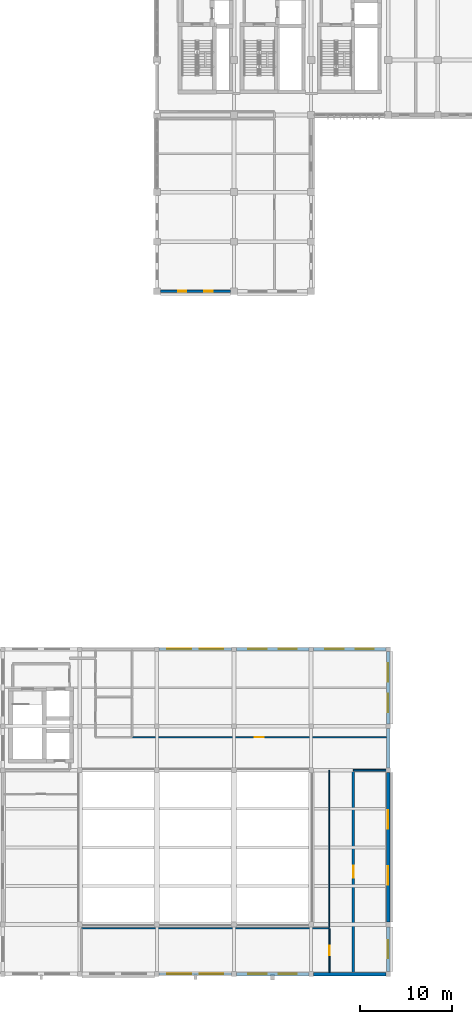
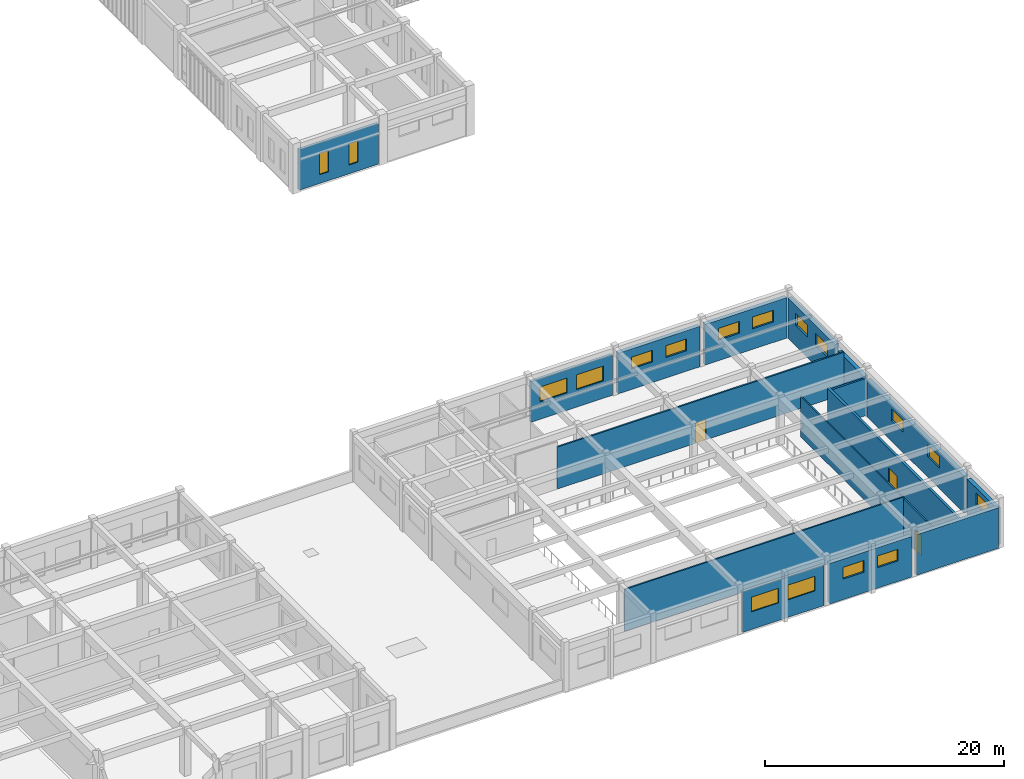
# One storey, part 65 of 77: 17 walls, 17 windows, 3 doors, 20 openings.
"""IFC4 building model written with IfcOpenShell, lengths in metres."""

from ifc_helpers import new_model, si_unit, direction, frame, frame_2d, origin, place, context, subcontext, project, spatial, rectangle, extrude, material, layer, layer_set, type_object, element, fill, save


model = new_model("IFC4")

# Units and contexts
model_context = context("Model", 3, precision=1e-05, world=origin(), true_north=direction((0.0, 1.0)))
body_context = subcontext(model_context, "Body", "Model", "MODEL_VIEW")
ifc_project = project(units=[si_unit("LENGTHUNIT", "METRE"), si_unit("AREAUNIT", "SQUARE_METRE"), si_unit("VOLUMEUNIT", "CUBIC_METRE"), si_unit("PLANEANGLEUNIT", "RADIAN"), si_unit("MASSUNIT", "GRAM", prefix="KILO")], contexts=[model_context])

# Site, building, storey
site_placement = place(None, origin())
site = spatial("IfcSite", under=ifc_project, at=site_placement, CompositionType="ELEMENT")
building_placement = place(site_placement, origin())
building = spatial("IfcBuilding", under=site, at=building_placement, Name="Krzemoval Escarpment Law Courts", CompositionType="ELEMENT")
storey_placement = place(building_placement, frame((0.0, 0.0, 15.300048828125)))
storey = spatial("IfcBuildingStorey", under=building, at=storey_placement, Name="L03", CompositionType="ELEMENT", Elevation=15.300048828125)

# Wall, openings, windows
ifc_material_1 = material(Name="Precast concrete C40/50", Category="concrete")
ifc_layer_1 = layer(ifc_material_1, 0.260009765625)
ifc_layer_set_1 = layer_set([ifc_layer_1], Name="Precast concrete C40/50")
wall_type_1 = type_object("IfcWallType", Name="WL-EXT-260", PredefinedType="SOLIDWALL", material=ifc_layer_set_1)
wall_1_placement = place(storey_placement, frame((134.14990234375, 0.0, 0.0), z_axis=(0.0, 0.0, 1.0), x_axis=(-1.0, 0.0, 0.0)))
wall_1 = element("IfcWall", 1, at=wall_1_placement, inside=storey, type_object=wall_type_1, Name="Exterior Wall EW-L03-0366", PredefinedType="SOLIDWALL", context=body_context, shape_type="SweptSolid", body=[
    extrude(rectangle(XDim=7.89990234375, YDim=0.260009765625, at=frame_2d((3.949951171875, 0.0))), origin(), (0.0, 0.0, 1.0), 4.139892578125),
])
opening_1_placement = place(wall_1_placement, frame((0.89990234375, 0.0, 1.800048828125)))
opening_1 = element("IfcOpeningElement", 2, at=opening_1_placement, cuts=wall_1, Name="Opening WN-L03-0416", PredefinedType="OPENING", context=body_context, shape_type="SweptSolid", body=[
    extrude(rectangle(XDim=2.60009765625, YDim=1.5, at=frame_2d((1.300048828125, 0.75))), frame((0.0, 0.145, 0.0), z_axis=(0.0, -1.0, 0.0), x_axis=(1.0, 0.0, 0.0)), (0.0, 0.0, 1.0), 0.29001),
])
opening_2_placement = place(wall_1_placement, frame((4.39990234375, 0.0, 1.800048828125)))
opening_2 = element("IfcOpeningElement", 3, at=opening_2_placement, cuts=wall_1, Name="Opening WN-L03-0417", PredefinedType="OPENING", context=body_context, shape_type="SweptSolid", body=[
    extrude(rectangle(XDim=2.60009765625, YDim=1.5, at=frame_2d((1.300048828125, 0.75))), frame((0.0, 0.145, 0.0), z_axis=(0.0, -1.0, 0.0), x_axis=(1.0, 0.0, 0.0)), (0.0, 0.0, 1.0), 0.29001),
])
ifc_material_2 = material(Name="Thermally Broken Aluminium Frame with Triple Low-E Acoustic Glass", Category="aluminium")
window_type_1 = type_object("IfcWindowType", Name="WN-2600x1500", PartitioningType="SINGLE_PANEL", PredefinedType="WINDOW", material=ifc_material_2)
window_1_placement = place(opening_1_placement, origin())
window_1 = element("IfcWindow", 4, at=window_1_placement, inside=storey, type_object=window_type_1, Name="Facade Window WN-L03-0416", OverallHeight=1.5, OverallWidth=2.60009765625, PartitioningType="SINGLE_PANEL", PredefinedType="WINDOW", context=body_context, shape_type="SweptSolid", body=[
    extrude(rectangle(XDim=2.60009765625, YDim=1.5, at=frame_2d((1.300048828125, 0.75))), frame((0.0, 0.030029296875, 0.0), z_axis=(0.0, -1.0, 0.0), x_axis=(1.0, 0.0, 0.0)), (0.0, 0.0, 1.0), 0.06005859375),
])
fill(opening_1, window_1)
window_2_placement = place(opening_2_placement, origin())
window_2 = element("IfcWindow", 5, at=window_2_placement, inside=storey, type_object=window_type_1, Name="Facade Window WN-L03-0417", OverallHeight=1.5, OverallWidth=2.60009765625, PartitioningType="SINGLE_PANEL", PredefinedType="WINDOW", context=body_context, shape_type="SweptSolid", body=[
    extrude(rectangle(XDim=2.60009765625, YDim=1.5, at=frame_2d((1.300048828125, 0.75))), frame((0.0, 0.030029296875, 0.0), z_axis=(0.0, -1.0, 0.0), x_axis=(1.0, 0.0, 0.0)), (0.0, 0.0, 1.0), 0.06005859375),
])
fill(opening_2, window_2)

wall_2_placement = place(storey_placement, frame((126.25, 35.39990234375, 0.0), z_axis=(0.0, 0.0, 1.0), x_axis=(1.0, 0.0, 0.0)))
wall_2 = element("IfcWall", 6, at=wall_2_placement, inside=storey, type_object=wall_type_1, Name="Exterior Wall EW-L03-0375", PredefinedType="SOLIDWALL", context=body_context, shape_type="SweptSolid", body=[
    extrude(rectangle(XDim=7.89990234375, YDim=0.260009765625, at=frame_2d((3.949951171875, 0.0))), origin(), (0.0, 0.0, 1.0), 4.139892578125),
])
opening_3_placement = place(wall_2_placement, frame((0.89990234375, 0.0, 1.800048828125)))
opening_3 = element("IfcOpeningElement", 7, at=opening_3_placement, cuts=wall_2, Name="Opening WN-L03-0430", PredefinedType="OPENING", context=body_context, shape_type="SweptSolid", body=[
    extrude(rectangle(XDim=2.60009765625, YDim=1.5, at=frame_2d((1.300048828125, 0.75))), frame((0.0, 0.145, 0.0), z_axis=(0.0, -1.0, 0.0), x_axis=(1.0, 0.0, 0.0)), (0.0, 0.0, 1.0), 0.29001),
])
opening_4_placement = place(wall_2_placement, frame((4.39990234375, 0.0, 1.800048828125)))
opening_4 = element("IfcOpeningElement", 8, at=opening_4_placement, cuts=wall_2, Name="Opening WN-L03-0431", PredefinedType="OPENING", context=body_context, shape_type="SweptSolid", body=[
    extrude(rectangle(XDim=2.60009765625, YDim=1.5, at=frame_2d((1.300048828125, 0.75))), frame((0.0, 0.145, 0.0), z_axis=(0.0, -1.0, 0.0), x_axis=(1.0, 0.0, 0.0)), (0.0, 0.0, 1.0), 0.29001),
])
window_3_placement = place(opening_3_placement, origin())
window_3 = element("IfcWindow", 9, at=window_3_placement, inside=storey, type_object=window_type_1, Name="Facade Window WN-L03-0430", OverallHeight=1.5, OverallWidth=2.60009765625, PartitioningType="SINGLE_PANEL", PredefinedType="WINDOW", context=body_context, shape_type="SweptSolid", body=[
    extrude(rectangle(XDim=2.60009765625, YDim=1.5, at=frame_2d((1.300048828125, 0.75))), frame((0.0, 0.030029296875, 0.0), z_axis=(0.0, -1.0, 0.0), x_axis=(1.0, 0.0, 0.0)), (0.0, 0.0, 1.0), 0.06005859375),
])
fill(opening_3, window_3)
window_4_placement = place(opening_4_placement, origin())
window_4 = element("IfcWindow", 10, at=window_4_placement, inside=storey, type_object=window_type_1, Name="Facade Window WN-L03-0431", OverallHeight=1.5, OverallWidth=2.60009765625, PartitioningType="SINGLE_PANEL", PredefinedType="WINDOW", context=body_context, shape_type="SweptSolid", body=[
    extrude(rectangle(XDim=2.60009765625, YDim=1.5, at=frame_2d((1.300048828125, 0.75))), frame((0.0, 0.030029296875, 0.0), z_axis=(0.0, -1.0, 0.0), x_axis=(1.0, 0.0, 0.0)), (0.0, 0.0, 1.0), 0.06005859375),
])
fill(opening_4, window_4)

wall_3_placement = place(storey_placement, frame((134.02490234375, 74.39990234375, 0.0), z_axis=(0.0, 0.0, 1.0), x_axis=(-1.0, 0.0, 0.0)))
wall_3 = element("IfcWall", 11, at=wall_3_placement, inside=storey, type_object=wall_type_1, Name="Exterior Wall EW-L03-0392", PredefinedType="SOLIDWALL", context=body_context, shape_type="SweptSolid", body=[
    extrude(rectangle(XDim=7.64990234375, YDim=0.260009765625, at=frame_2d((3.824951171875, 0.0))), origin(), (0.0, 0.0, 1.0), 4.139892578125),
])
opening_5_placement = place(wall_3_placement, frame((1.949951171875, 0.0, 0.89990234375)))
opening_5 = element("IfcOpeningElement", 12, at=opening_5_placement, cuts=wall_3, Name="Opening WN-L03-0461", PredefinedType="OPENING", context=body_context, shape_type="SweptSolid", body=[
    extrude(rectangle(XDim=0.89990234375, YDim=2.199951171875, at=frame_2d((0.449951171875, 1.10009765625))), frame((0.0, 0.145, 0.0), z_axis=(0.0, -1.0, 0.0), x_axis=(1.0, 0.0, 0.0)), (0.0, 0.0, 1.0), 0.29001),
])
opening_6_placement = place(wall_3_placement, frame((4.800048828125, 0.0, 0.89990234375)))
opening_6 = element("IfcOpeningElement", 13, at=opening_6_placement, cuts=wall_3, Name="Opening WN-L03-0462", PredefinedType="OPENING", context=body_context, shape_type="SweptSolid", body=[
    extrude(rectangle(XDim=0.89990234375, YDim=2.199951171875, at=frame_2d((0.449951171875, 1.10009765625))), frame((0.0, 0.145, 0.0), z_axis=(0.0, -1.0, 0.0), x_axis=(1.0, 0.0, 0.0)), (0.0, 0.0, 1.0), 0.29001),
])
ifc_material_3 = material(Name="Thermally Broken Aluminium Frame with Triple Low-E Acoustic Glass", Category="aluminium")
window_type_2 = type_object("IfcWindowType", Name="WN-900x2200", PartitioningType="SINGLE_PANEL", PredefinedType="WINDOW", material=ifc_material_3)
window_5_placement = place(opening_5_placement, origin())
window_5 = element("IfcWindow", 14, at=window_5_placement, inside=storey, type_object=window_type_2, Name="Facade Window WN-L03-0461", OverallHeight=2.199951171875, OverallWidth=0.89990234375, PartitioningType="SINGLE_PANEL", PredefinedType="WINDOW", context=body_context, shape_type="SweptSolid", body=[
    extrude(rectangle(XDim=0.89990234375, YDim=2.199951171875, at=frame_2d((0.449951171875, 1.10009765625))), frame((0.0, 0.030029296875, 0.0), z_axis=(0.0, -1.0, 0.0), x_axis=(1.0, 0.0, 0.0)), (0.0, 0.0, 1.0), 0.06005859375),
])
fill(opening_5, window_5)
window_6_placement = place(opening_6_placement, origin())
window_6 = element("IfcWindow", 15, at=window_6_placement, inside=storey, type_object=window_type_2, Name="Facade Window WN-L03-0462", OverallHeight=2.199951171875, OverallWidth=0.89990234375, PartitioningType="SINGLE_PANEL", PredefinedType="WINDOW", context=body_context, shape_type="SweptSolid", body=[
    extrude(rectangle(XDim=0.89990234375, YDim=2.199951171875, at=frame_2d((0.449951171875, 1.10009765625))), frame((0.0, 0.030029296875, 0.0), z_axis=(0.0, -1.0, 0.0), x_axis=(1.0, 0.0, 0.0)), (0.0, 0.0, 1.0), 0.06005859375),
])
fill(opening_6, window_6)

ifc_material_4 = material(Name="Concrete C40/50", Category="concrete")
ifc_layer_2 = layer(ifc_material_4, 0.3798828125)
ifc_layer_set_2 = layer_set([ifc_layer_2], Name="Concrete C40/50")
wall_type_2 = type_object("IfcWallType", Name="WL-EXT-380", PredefinedType="SOLIDWALL", material=ifc_layer_set_2)
wall_4_placement = place(storey_placement, frame((151.199951171875, 35.14990234375, 0.0), z_axis=(0.0, 0.0, 1.0), x_axis=(0.0, -1.0, 0.0)))
wall_4 = element("IfcWall", 16, at=wall_4_placement, inside=storey, type_object=wall_type_2, Name="Exterior Wall EW-L03-0360", PredefinedType="SOLIDWALL", context=body_context, shape_type="SweptSolid", body=[
    extrude(rectangle(XDim=7.89990234375, YDim=0.3798828125, at=frame_2d((3.949951171875, 0.0))), origin(), (0.0, 0.0, 1.0), 4.139892578125),
])
opening_7_placement = place(wall_4_placement, frame((1.300048828125, 0.0, 2.10009765625)))
opening_7 = element("IfcOpeningElement", 17, at=opening_7_placement, cuts=wall_4, Name="Opening WN-L03-0409", PredefinedType="OPENING", context=body_context, shape_type="SweptSolid", body=[
    extrude(rectangle(XDim=2.0, YDim=1.199951171875, at=frame_2d((1.0, 0.60009765625))), frame((0.0, 0.20494, 0.0), z_axis=(0.0, -1.0, 0.0), x_axis=(1.0, 0.0, 0.0)), (0.0, 0.0, 1.0), 0.40988),
])
opening_8_placement = place(wall_4_placement, frame((4.60009765625, 0.0, 2.10009765625)))
opening_8 = element("IfcOpeningElement", 18, at=opening_8_placement, cuts=wall_4, Name="Opening WN-L03-0410", PredefinedType="OPENING", context=body_context, shape_type="SweptSolid", body=[
    extrude(rectangle(XDim=2.0, YDim=1.199951171875, at=frame_2d((1.0, 0.60009765625))), frame((0.0, 0.20494, 0.0), z_axis=(0.0, -1.0, 0.0), x_axis=(1.0, 0.0, 0.0)), (0.0, 0.0, 1.0), 0.40988),
])
ifc_material_5 = material(Name="Thermally Broken Aluminium Frame with Triple Low-E Acoustic Glass", Category="aluminium")
window_type_3 = type_object("IfcWindowType", Name="WN-2000x1200", PartitioningType="SINGLE_PANEL", PredefinedType="WINDOW", material=ifc_material_5)
window_7_placement = place(opening_7_placement, origin())
window_7 = element("IfcWindow", 19, at=window_7_placement, inside=storey, type_object=window_type_3, Name="Facade Window WN-L03-0409", OverallHeight=1.199951171875, OverallWidth=2.0, PartitioningType="SINGLE_PANEL", PredefinedType="WINDOW", context=body_context, shape_type="SweptSolid", body=[
    extrude(rectangle(XDim=2.0, YDim=1.199951171875, at=frame_2d((1.0, 0.60009765625))), frame((0.0, 0.030029296875, 0.0), z_axis=(0.0, -1.0, 0.0), x_axis=(1.0, 0.0, 0.0)), (0.0, 0.0, 1.0), 0.06005859375),
])
fill(opening_7, window_7)
window_8_placement = place(opening_8_placement, origin())
window_8 = element("IfcWindow", 20, at=window_8_placement, inside=storey, type_object=window_type_3, Name="Facade Window WN-L03-0410", OverallHeight=1.199951171875, OverallWidth=2.0, PartitioningType="SINGLE_PANEL", PredefinedType="WINDOW", context=body_context, shape_type="SweptSolid", body=[
    extrude(rectangle(XDim=2.0, YDim=1.199951171875, at=frame_2d((1.0, 0.60009765625))), frame((0.0, 0.030029296875, 0.0), z_axis=(0.0, -1.0, 0.0), x_axis=(1.0, 0.0, 0.0)), (0.0, 0.0, 1.0), 0.06005859375),
])
fill(opening_8, window_8)

# Wall
wall_5_placement = place(storey_placement, frame((151.199951171875, 26.75, 0.0), z_axis=(0.0, 0.0, 1.0), x_axis=(0.0, -1.0, 0.0)))
element("IfcWall", 21, at=wall_5_placement, inside=storey, type_object=wall_type_2, Name="Exterior Wall EW-L03-0361", PredefinedType="SOLIDWALL", context=body_context, shape_type="SweptSolid", body=[
    extrude(rectangle(XDim=4.300048828125, YDim=0.3798828125, at=frame_2d((2.14990234375, 0.0))), origin(), (0.0, 0.0, 1.0), 3.7900390625),
])

# Wall, openings, windows
wall_6_placement = place(storey_placement, frame((151.199951171875, 21.949951171875, 0.0), z_axis=(0.0, 0.0, 1.0), x_axis=(0.0, -1.0, 0.0)))
wall_6 = element("IfcWall", 22, at=wall_6_placement, inside=storey, type_object=wall_type_2, Name="Exterior Wall EW-L03-0362", PredefinedType="SOLIDWALL", context=body_context, shape_type="SweptSolid", body=[
    extrude(rectangle(XDim=16.300048828125, YDim=0.3798828125, at=frame_2d((8.14990234375, 0.0))), origin(), (0.0, 0.0, 1.0), 3.7900390625),
])
opening_9_placement = place(wall_6_placement, frame((4.10009765625, 0.0, 2.10009765625)))
opening_9 = element("IfcOpeningElement", 23, at=opening_9_placement, cuts=wall_6, Name="Opening WN-L03-0411", PredefinedType="OPENING", context=body_context, shape_type="SweptSolid", body=[
    extrude(rectangle(XDim=2.0, YDim=1.199951171875, at=frame_2d((1.0, 0.60009765625))), frame((0.0, 0.20494, 0.0), z_axis=(0.0, -1.0, 0.0), x_axis=(1.0, 0.0, 0.0)), (0.0, 0.0, 1.0), 0.40988),
])
opening_10_placement = place(wall_6_placement, frame((10.199951171875, 0.0, 2.10009765625)))
opening_10 = element("IfcOpeningElement", 24, at=opening_10_placement, cuts=wall_6, Name="Opening WN-L03-0412", PredefinedType="OPENING", context=body_context, shape_type="SweptSolid", body=[
    extrude(rectangle(XDim=2.0, YDim=1.199951171875, at=frame_2d((1.0, 0.60009765625))), frame((0.0, 0.20494, 0.0), z_axis=(0.0, -1.0, 0.0), x_axis=(1.0, 0.0, 0.0)), (0.0, 0.0, 1.0), 0.40988),
])
window_9_placement = place(opening_9_placement, origin())
window_9 = element("IfcWindow", 25, at=window_9_placement, inside=storey, type_object=window_type_3, Name="Facade Window WN-L03-0411", OverallHeight=1.199951171875, OverallWidth=2.0, PartitioningType="SINGLE_PANEL", PredefinedType="WINDOW", context=body_context, shape_type="SweptSolid", body=[
    extrude(rectangle(XDim=2.0, YDim=1.199951171875, at=frame_2d((1.0, 0.60009765625))), frame((0.0, 0.030029296875, 0.0), z_axis=(0.0, -1.0, 0.0), x_axis=(1.0, 0.0, 0.0)), (0.0, 0.0, 1.0), 0.06005859375),
])
fill(opening_9, window_9)
window_10_placement = place(opening_10_placement, origin())
window_10 = element("IfcWindow", 26, at=window_10_placement, inside=storey, type_object=window_type_3, Name="Facade Window WN-L03-0412", OverallHeight=1.199951171875, OverallWidth=2.0, PartitioningType="SINGLE_PANEL", PredefinedType="WINDOW", context=body_context, shape_type="SweptSolid", body=[
    extrude(rectangle(XDim=2.0, YDim=1.199951171875, at=frame_2d((1.0, 0.60009765625))), frame((0.0, 0.030029296875, 0.0), z_axis=(0.0, -1.0, 0.0), x_axis=(1.0, 0.0, 0.0)), (0.0, 0.0, 1.0), 0.06005859375),
])
fill(opening_10, window_10)

# Wall, opening, window
wall_7_placement = place(storey_placement, frame((151.199951171875, 5.14990234375, 0.0), z_axis=(0.0, 0.0, 1.0), x_axis=(0.0, -1.0, 0.0)))
wall_7 = element("IfcWall", 27, at=wall_7_placement, inside=storey, type_object=wall_type_2, Name="Exterior Wall EW-L03-0363", PredefinedType="SOLIDWALL", context=body_context, shape_type="SweptSolid", body=[
    extrude(rectangle(XDim=4.89990234375, YDim=0.3798828125, at=frame_2d((2.449951171875, 0.0))), origin(), (0.0, 0.0, 1.0), 3.7900390625),
])
opening_11_placement = place(wall_7_placement, frame((1.449951171875, 0.0, 2.10009765625)))
opening_11 = element("IfcOpeningElement", 28, at=opening_11_placement, cuts=wall_7, Name="Opening WN-L03-0413", PredefinedType="OPENING", context=body_context, shape_type="SweptSolid", body=[
    extrude(rectangle(XDim=2.0, YDim=1.199951171875, at=frame_2d((1.0, 0.60009765625))), frame((0.0, 0.20494, 0.0), z_axis=(0.0, -1.0, 0.0), x_axis=(1.0, 0.0, 0.0)), (0.0, 0.0, 1.0), 0.40988),
])
window_11_placement = place(opening_11_placement, origin())
window_11 = element("IfcWindow", 29, at=window_11_placement, inside=storey, type_object=window_type_3, Name="Facade Window WN-L03-0413", OverallHeight=1.199951171875, OverallWidth=2.0, PartitioningType="SINGLE_PANEL", PredefinedType="WINDOW", context=body_context, shape_type="SweptSolid", body=[
    extrude(rectangle(XDim=2.0, YDim=1.199951171875, at=frame_2d((1.0, 0.60009765625))), frame((0.0, 0.030029296875, 0.0), z_axis=(0.0, -1.0, 0.0), x_axis=(1.0, 0.0, 0.0)), (0.0, 0.0, 1.0), 0.06005859375),
])
fill(opening_11, window_11)

# Wall
wall_8_placement = place(storey_placement, frame((150.949951171875, 0.0, 0.0), z_axis=(0.0, 0.0, 1.0), x_axis=(-1.0, 0.0, 0.0)))
element("IfcWall", 30, at=wall_8_placement, inside=storey, type_object=wall_type_2, Name="Exterior Wall EW-L03-0364", PredefinedType="SOLIDWALL", context=body_context, shape_type="SweptSolid", body=[
    extrude(rectangle(XDim=7.89990234375, YDim=0.3798828125, at=frame_2d((3.949951171875, 0.0))), origin(), (0.0, 0.0, 1.0), 4.139892578125),
])

# Wall, openings, windows
wall_9_placement = place(storey_placement, frame((142.550048828125, 0.0, 0.0), z_axis=(0.0, 0.0, 1.0), x_axis=(-1.0, 0.0, 0.0)))
wall_9 = element("IfcWall", 31, at=wall_9_placement, inside=storey, type_object=wall_type_2, Name="Exterior Wall EW-L03-0365", PredefinedType="SOLIDWALL", context=body_context, shape_type="SweptSolid", body=[
    extrude(rectangle(XDim=7.900146484375, YDim=0.3798828125, at=frame_2d((3.9501953125, 0.0))), origin(), (0.0, 0.0, 1.0), 4.139892578125),
])
opening_12_placement = place(wall_9_placement, frame((1.300048828125, 0.0, 2.10009765625)))
opening_12 = element("IfcOpeningElement", 32, at=opening_12_placement, cuts=wall_9, Name="Opening WN-L03-0414", PredefinedType="OPENING", context=body_context, shape_type="SweptSolid", body=[
    extrude(rectangle(XDim=2.0, YDim=1.199951171875, at=frame_2d((1.0, 0.60009765625))), frame((0.0, 0.20494, 0.0), z_axis=(0.0, -1.0, 0.0), x_axis=(1.0, 0.0, 0.0)), (0.0, 0.0, 1.0), 0.40988),
])
opening_13_placement = place(wall_9_placement, frame((4.60009765625, 0.0, 2.10009765625)))
opening_13 = element("IfcOpeningElement", 33, at=opening_13_placement, cuts=wall_9, Name="Opening WN-L03-0415", PredefinedType="OPENING", context=body_context, shape_type="SweptSolid", body=[
    extrude(rectangle(XDim=2.0, YDim=1.199951171875, at=frame_2d((1.0, 0.60009765625))), frame((0.0, 0.20494, 0.0), z_axis=(0.0, -1.0, 0.0), x_axis=(1.0, 0.0, 0.0)), (0.0, 0.0, 1.0), 0.40988),
])
window_12_placement = place(opening_12_placement, origin())
window_12 = element("IfcWindow", 34, at=window_12_placement, inside=storey, type_object=window_type_3, Name="Facade Window WN-L03-0414", OverallHeight=1.199951171875, OverallWidth=2.0, PartitioningType="SINGLE_PANEL", PredefinedType="WINDOW", context=body_context, shape_type="SweptSolid", body=[
    extrude(rectangle(XDim=2.0, YDim=1.199951171875, at=frame_2d((1.0, 0.60009765625))), frame((0.0, 0.030029296875, 0.0), z_axis=(0.0, -1.0, 0.0), x_axis=(1.0, 0.0, 0.0)), (0.0, 0.0, 1.0), 0.06005859375),
])
fill(opening_12, window_12)
window_13_placement = place(opening_13_placement, origin())
window_13 = element("IfcWindow", 35, at=window_13_placement, inside=storey, type_object=window_type_3, Name="Facade Window WN-L03-0415", OverallHeight=1.199951171875, OverallWidth=2.0, PartitioningType="SINGLE_PANEL", PredefinedType="WINDOW", context=body_context, shape_type="SweptSolid", body=[
    extrude(rectangle(XDim=2.0, YDim=1.199951171875, at=frame_2d((1.0, 0.60009765625))), frame((0.0, 0.030029296875, 0.0), z_axis=(0.0, -1.0, 0.0), x_axis=(1.0, 0.0, 0.0)), (0.0, 0.0, 1.0), 0.06005859375),
])
fill(opening_13, window_13)

wall_10_placement = place(storey_placement, frame((134.64990234375, 35.39990234375, 0.0), z_axis=(0.0, 0.0, 1.0), x_axis=(1.0, 0.0, 0.0)))
wall_10 = element("IfcWall", 36, at=wall_10_placement, inside=storey, type_object=wall_type_2, Name="Exterior Wall EW-L03-0376", PredefinedType="SOLIDWALL", context=body_context, shape_type="SweptSolid", body=[
    extrude(rectangle(XDim=7.900146484375, YDim=0.3798828125, at=frame_2d((3.9501953125, 0.0))), origin(), (0.0, 0.0, 1.0), 4.139892578125),
])
opening_14_placement = place(wall_10_placement, frame((1.300048828125, 0.0, 2.10009765625)))
opening_14 = element("IfcOpeningElement", 37, at=opening_14_placement, cuts=wall_10, Name="Opening WN-L03-0432", PredefinedType="OPENING", context=body_context, shape_type="SweptSolid", body=[
    extrude(rectangle(XDim=2.0, YDim=1.199951171875, at=frame_2d((1.0, 0.60009765625))), frame((0.0, 0.20494, 0.0), z_axis=(0.0, -1.0, 0.0), x_axis=(1.0, 0.0, 0.0)), (0.0, 0.0, 1.0), 0.40988),
])
opening_15_placement = place(wall_10_placement, frame((4.60009765625, 0.0, 2.10009765625)))
opening_15 = element("IfcOpeningElement", 38, at=opening_15_placement, cuts=wall_10, Name="Opening WN-L03-0433", PredefinedType="OPENING", context=body_context, shape_type="SweptSolid", body=[
    extrude(rectangle(XDim=2.0, YDim=1.199951171875, at=frame_2d((1.0, 0.60009765625))), frame((0.0, 0.20494, 0.0), z_axis=(0.0, -1.0, 0.0), x_axis=(1.0, 0.0, 0.0)), (0.0, 0.0, 1.0), 0.40988),
])
window_14_placement = place(opening_14_placement, origin())
window_14 = element("IfcWindow", 39, at=window_14_placement, inside=storey, type_object=window_type_3, Name="Facade Window WN-L03-0432", OverallHeight=1.199951171875, OverallWidth=2.0, PartitioningType="SINGLE_PANEL", PredefinedType="WINDOW", context=body_context, shape_type="SweptSolid", body=[
    extrude(rectangle(XDim=2.0, YDim=1.199951171875, at=frame_2d((1.0, 0.60009765625))), frame((0.0, 0.030029296875, 0.0), z_axis=(0.0, -1.0, 0.0), x_axis=(1.0, 0.0, 0.0)), (0.0, 0.0, 1.0), 0.06005859375),
])
fill(opening_14, window_14)
window_15_placement = place(opening_15_placement, origin())
window_15 = element("IfcWindow", 40, at=window_15_placement, inside=storey, type_object=window_type_3, Name="Facade Window WN-L03-0433", OverallHeight=1.199951171875, OverallWidth=2.0, PartitioningType="SINGLE_PANEL", PredefinedType="WINDOW", context=body_context, shape_type="SweptSolid", body=[
    extrude(rectangle(XDim=2.0, YDim=1.199951171875, at=frame_2d((1.0, 0.60009765625))), frame((0.0, 0.030029296875, 0.0), z_axis=(0.0, -1.0, 0.0), x_axis=(1.0, 0.0, 0.0)), (0.0, 0.0, 1.0), 0.06005859375),
])
fill(opening_15, window_15)

wall_11_placement = place(storey_placement, frame((143.050048828125, 35.39990234375, 0.0), z_axis=(0.0, 0.0, 1.0), x_axis=(1.0, 0.0, 0.0)))
wall_11 = element("IfcWall", 41, at=wall_11_placement, inside=storey, type_object=wall_type_2, Name="Exterior Wall EW-L03-0377", PredefinedType="SOLIDWALL", context=body_context, shape_type="SweptSolid", body=[
    extrude(rectangle(XDim=7.89990234375, YDim=0.3798828125, at=frame_2d((3.949951171875, 0.0))), origin(), (0.0, 0.0, 1.0), 4.139892578125),
])
opening_16_placement = place(wall_11_placement, frame((1.300048828125, 0.0, 2.10009765625)))
opening_16 = element("IfcOpeningElement", 42, at=opening_16_placement, cuts=wall_11, Name="Opening WN-L03-0434", PredefinedType="OPENING", context=body_context, shape_type="SweptSolid", body=[
    extrude(rectangle(XDim=2.0, YDim=1.199951171875, at=frame_2d((1.0, 0.60009765625))), frame((0.0, 0.20494, 0.0), z_axis=(0.0, -1.0, 0.0), x_axis=(1.0, 0.0, 0.0)), (0.0, 0.0, 1.0), 0.40988),
])
opening_17_placement = place(wall_11_placement, frame((4.60009765625, 0.0, 2.10009765625)))
opening_17 = element("IfcOpeningElement", 43, at=opening_17_placement, cuts=wall_11, Name="Opening WN-L03-0435", PredefinedType="OPENING", context=body_context, shape_type="SweptSolid", body=[
    extrude(rectangle(XDim=2.0, YDim=1.199951171875, at=frame_2d((1.0, 0.60009765625))), frame((0.0, 0.20494, 0.0), z_axis=(0.0, -1.0, 0.0), x_axis=(1.0, 0.0, 0.0)), (0.0, 0.0, 1.0), 0.40988),
])
window_16_placement = place(opening_16_placement, origin())
window_16 = element("IfcWindow", 44, at=window_16_placement, inside=storey, type_object=window_type_3, Name="Facade Window WN-L03-0434", OverallHeight=1.199951171875, OverallWidth=2.0, PartitioningType="SINGLE_PANEL", PredefinedType="WINDOW", context=body_context, shape_type="SweptSolid", body=[
    extrude(rectangle(XDim=2.0, YDim=1.199951171875, at=frame_2d((1.0, 0.60009765625))), frame((0.0, 0.030029296875, 0.0), z_axis=(0.0, -1.0, 0.0), x_axis=(1.0, 0.0, 0.0)), (0.0, 0.0, 1.0), 0.06005859375),
])
fill(opening_16, window_16)
window_17_placement = place(opening_17_placement, origin())
window_17 = element("IfcWindow", 45, at=window_17_placement, inside=storey, type_object=window_type_3, Name="Facade Window WN-L03-0435", OverallHeight=1.199951171875, OverallWidth=2.0, PartitioningType="SINGLE_PANEL", PredefinedType="WINDOW", context=body_context, shape_type="SweptSolid", body=[
    extrude(rectangle(XDim=2.0, YDim=1.199951171875, at=frame_2d((1.0, 0.60009765625))), frame((0.0, 0.030029296875, 0.0), z_axis=(0.0, -1.0, 0.0), x_axis=(1.0, 0.0, 0.0)), (0.0, 0.0, 1.0), 0.06005859375),
])
fill(opening_17, window_17)

# Walls
ifc_material_6 = material(Name="Light Internal Subdivision Partition", Category="gypsum")
ifc_layer_3 = layer(ifc_material_6, 0.114990234375)
ifc_layer_set_3 = layer_set([ifc_layer_3], Name="Light Internal Subdivision Partition")
wall_type_3 = type_object("IfcWallType", Name="WL-PRT-115", PredefinedType="PARTITIONING", material=ifc_layer_set_3)
wall_12_placement = place(storey_placement, frame((144.800048828125, 5.072021484375, 0.0), z_axis=(0.0, 0.0, 1.0), x_axis=(0.0, 1.0, 0.0)))
element("IfcWall", 46, at=wall_12_placement, inside=storey, type_object=wall_type_3, Name="Interior Partition PW-L03-0584", PredefinedType="PARTITIONING", context=body_context, shape_type="SweptSolid", body=[
    extrude(rectangle(XDim=17.1279296875, YDim=0.114990234375, at=frame_2d((8.56396484375, 0.0))), origin(), (0.0, 0.0, 1.0), 4.139892578125),
])
ifc_material_7 = material(Name="Sanitary Moisture-Resistant Partition", Category="gypsum")
ifc_layer_4 = layer(ifc_material_7, 0.139892578125)
ifc_layer_set_4 = layer_set([ifc_layer_4], Name="Sanitary Moisture-Resistant Partition")
wall_type_4 = type_object("IfcWallType", Name="WL-PRT-140", PredefinedType="PARTITIONING", material=ifc_layer_set_4)
wall_13_placement = place(storey_placement, frame((117.800048828125, 5.0, 0.0), z_axis=(0.0, 0.0, 1.0), x_axis=(1.0, 0.0, 0.0)))
element("IfcWall", 47, at=wall_13_placement, inside=storey, type_object=wall_type_4, Name="Interior Partition PW-L03-0484", PredefinedType="PARTITIONING", context=body_context, shape_type="SweptSolid", body=[
    extrude(rectangle(XDim=27.0, YDim=0.139892578125, at=frame_2d((13.5, 0.0))), origin(), (0.0, 0.0, 1.0), 4.2900390625),
])

# Wall, opening, door
wall_14_placement = place(storey_placement, frame((144.800048828125, 0.19189453125, 0.0), z_axis=(0.0, 0.0, 1.0), x_axis=(0.0, 1.0, 0.0)))
wall_14 = element("IfcWall", 48, at=wall_14_placement, inside=storey, type_object=wall_type_4, Name="Interior Partition PW-L03-0583", PredefinedType="PARTITIONING", context=body_context, shape_type="SweptSolid", body=[
    extrude(rectangle(XDim=4.736083984375, YDim=0.139892578125, at=frame_2d((2.3681640625, 0.0))), origin(), (0.0, 0.0, 1.0), 4.139892578125),
])
opening_18_placement = place(wall_14_placement, frame((1.843017578125, 0.0, 0.0)))
opening_18 = element("IfcOpeningElement", 49, at=opening_18_placement, cuts=wall_14, Name="Opening D-L03-0185", PredefinedType="OPENING", context=body_context, shape_type="SweptSolid", body=[
    extrude(rectangle(XDim=1.050048828125, YDim=2.10009765625, at=frame_2d((0.52490234375, 1.050048828125))), frame((0.0, 0.08495, 0.0), z_axis=(0.0, -1.0, 0.0), x_axis=(1.0, 0.0, 0.0)), (0.0, 0.0, 1.0), 0.16989),
])
ifc_material_8 = material(Name="Engineered Solid-Core Oak Acoustic Timber", Category="wood")
door_type_1 = type_object("IfcDoorType", Name="DR-INT-1050x2100", OperationType="SINGLE_SWING_LEFT", PredefinedType="DOOR", material=ifc_material_8)
door_1_placement = place(opening_18_placement, origin())
door_1 = element("IfcDoor", 50, at=door_1_placement, inside=storey, type_object=door_type_1, Name="Room Door D-L03-0185", OperationType="SINGLE_SWING_LEFT", OverallHeight=2.10009765625, OverallWidth=1.050048828125, PredefinedType="DOOR", context=body_context, shape_type="SweptSolid", body=[
    extrude(rectangle(XDim=1.050048828125, YDim=2.10009765625, at=frame_2d((0.52490234375, 1.050048828125))), frame((0.0, 0.02490234375, 0.0), z_axis=(0.0, -1.0, 0.0), x_axis=(1.0, 0.0, 0.0)), (0.0, 0.0, 1.0), 0.050048828125),
])
fill(opening_18, door_1)

ifc_material_9 = material(Name="Office Acoustic Partition Wall", Category="gypsum")
ifc_layer_5 = layer(ifc_material_9, 0.14990234375)
ifc_layer_set_5 = layer_set([ifc_layer_5], Name="Office Acoustic Partition Wall")
wall_type_5 = type_object("IfcWallType", Name="WL-PRT-150", PredefinedType="PARTITIONING", material=ifc_layer_set_5)
wall_15_placement = place(storey_placement, frame((123.300048828125, 25.800048828125, 0.0), z_axis=(0.0, 0.0, 1.0), x_axis=(1.0, 0.0, 0.0)))
wall_15 = element("IfcWall", 51, at=wall_15_placement, inside=storey, type_object=wall_type_5, Name="Interior Partition PW-L03-0496", PredefinedType="PARTITIONING", context=body_context, shape_type="SweptSolid", body=[
    extrude(rectangle(XDim=27.7080078125, YDim=0.14990234375, at=frame_2d((13.85400390625, 0.0))), origin(), (0.0, 0.0, 1.0), 4.2900390625),
])
opening_19_placement = place(wall_15_placement, frame((13.35400390625, 0.0, 0.0)))
opening_19 = element("IfcOpeningElement", 52, at=opening_19_placement, cuts=wall_15, Name="Opening D-L03-0189", PredefinedType="OPENING", context=body_context, shape_type="SweptSolid", body=[
    extrude(rectangle(XDim=1.0, YDim=2.10009765625, at=frame_2d((0.5, 1.050048828125))), frame((0.0, 0.08995, 0.0), z_axis=(0.0, -1.0, 0.0), x_axis=(1.0, 0.0, 0.0)), (0.0, 0.0, 1.0), 0.1799),
])
ifc_material_10 = material(Name="Engineered Solid-Core Oak Acoustic Timber", Category="wood")
door_type_2 = type_object("IfcDoorType", Name="DR-INT-1000x2100", OperationType="SINGLE_SWING_LEFT", PredefinedType="DOOR", material=ifc_material_10)
door_2_placement = place(opening_19_placement, origin())
door_2 = element("IfcDoor", 53, at=door_2_placement, inside=storey, type_object=door_type_2, Name="Room Door D-L03-0189", OperationType="SINGLE_SWING_RIGHT", OverallHeight=2.10009765625, OverallWidth=1.0, PredefinedType="DOOR", context=body_context, shape_type="SweptSolid", body=[
    extrude(rectangle(XDim=1.0, YDim=2.10009765625, at=frame_2d((0.5, 1.050048828125))), frame((0.0, 0.02490234375, 0.0), z_axis=(0.0, -1.0, 0.0), x_axis=(1.0, 0.0, 0.0)), (0.0, 0.0, 1.0), 0.050048828125),
])
fill(opening_19, door_2)

# Wall
ifc_material_11 = material(Name="Judicial Chambers Acoustic Partition", Category="gypsum")
ifc_layer_6 = layer(ifc_material_11, 0.179931640625)
ifc_layer_set_6 = layer_set([ifc_layer_6], Name="Judicial Chambers Acoustic Partition")
wall_type_6 = type_object("IfcWallType", Name="WL-PRT-180", PredefinedType="PARTITIONING", material=ifc_layer_set_6)
wall_16_placement = place(storey_placement, frame((147.39990234375, 22.199951171875, 0.0), z_axis=(0.0, 0.0, 1.0), x_axis=(1.0, 0.0, 0.0)))
element("IfcWall", 54, at=wall_16_placement, inside=storey, type_object=wall_type_6, Name="Interior Partition PW-L03-0494", PredefinedType="PARTITIONING", context=body_context, shape_type="SweptSolid", body=[
    extrude(rectangle(XDim=3.76904296875, YDim=0.179931640625, at=frame_2d((1.884521484375, 0.0))), origin(), (0.0, 0.0, 1.0), 3.7900390625),
])

# Wall, opening, door
ifc_material_12 = material(Name="Acoustic Calcium-Silicate Block Wall", Category="masonry")
ifc_layer_7 = layer(ifc_material_12, 0.22998046875)
ifc_layer_set_7 = layer_set([ifc_layer_7], Name="Acoustic Calcium-Silicate Block Wall")
wall_type_7 = type_object("IfcWallType", Name="WL-PRT-230", PredefinedType="SOLIDWALL", material=ifc_layer_set_7)
wall_17_placement = place(storey_placement, frame((147.39990234375, 0.19189453125, 0.0), z_axis=(0.0, 0.0, 1.0), x_axis=(0.0, 1.0, 0.0)))
wall_17 = element("IfcWall", 55, at=wall_17_placement, inside=storey, type_object=wall_type_7, Name="Interior Partition PW-L03-0585", PredefinedType="SOLIDWALL", context=body_context, shape_type="SweptSolid", body=[
    extrude(rectangle(XDim=21.916015625, YDim=0.22998046875, at=frame_2d((10.9580078125, 0.0))), origin(), (0.0, 0.0, 1.0), 4.139892578125),
])
opening_20_placement = place(wall_17_placement, frame((10.282958984375, 0.0, 0.0)))
opening_20 = element("IfcOpeningElement", 56, at=opening_20_placement, cuts=wall_17, Name="Opening D-L03-0186", PredefinedType="OPENING", context=body_context, shape_type="SweptSolid", body=[
    extrude(rectangle(XDim=1.35009765625, YDim=2.199951171875, at=frame_2d((0.675048828125, 1.10009765625))), frame((0.0, 0.12999, 0.0), z_axis=(0.0, -1.0, 0.0), x_axis=(1.0, 0.0, 0.0)), (0.0, 0.0, 1.0), 0.25998),
])
ifc_material_13 = material(Name="Engineered Solid-Core Oak Acoustic Timber", Category="wood")
door_type_3 = type_object("IfcDoorType", Name="DR-INT-1350x2200", OperationType="SINGLE_SWING_LEFT", PredefinedType="DOOR", material=ifc_material_13)
door_3_placement = place(opening_20_placement, origin())
door_3 = element("IfcDoor", 57, at=door_3_placement, inside=storey, type_object=door_type_3, Name="Room Door D-L03-0186", OperationType="SINGLE_SWING_LEFT", OverallHeight=2.199951171875, OverallWidth=1.35009765625, PredefinedType="DOOR", context=body_context, shape_type="SweptSolid", body=[
    extrude(rectangle(XDim=1.35009765625, YDim=2.199951171875, at=frame_2d((0.675048828125, 1.10009765625))), frame((0.0, 0.02490234375, 0.0), z_axis=(0.0, -1.0, 0.0), x_axis=(1.0, 0.0, 0.0)), (0.0, 0.0, 1.0), 0.050048828125),
])
fill(opening_20, door_3)

save(model, "model.ifc")
